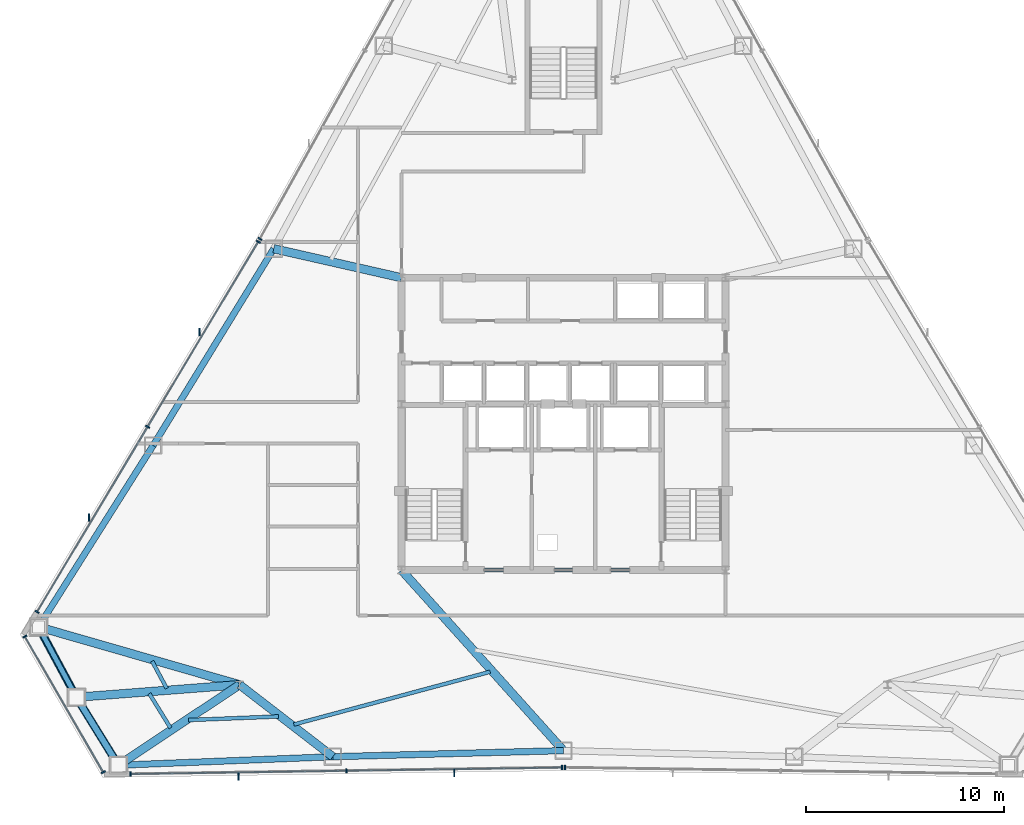
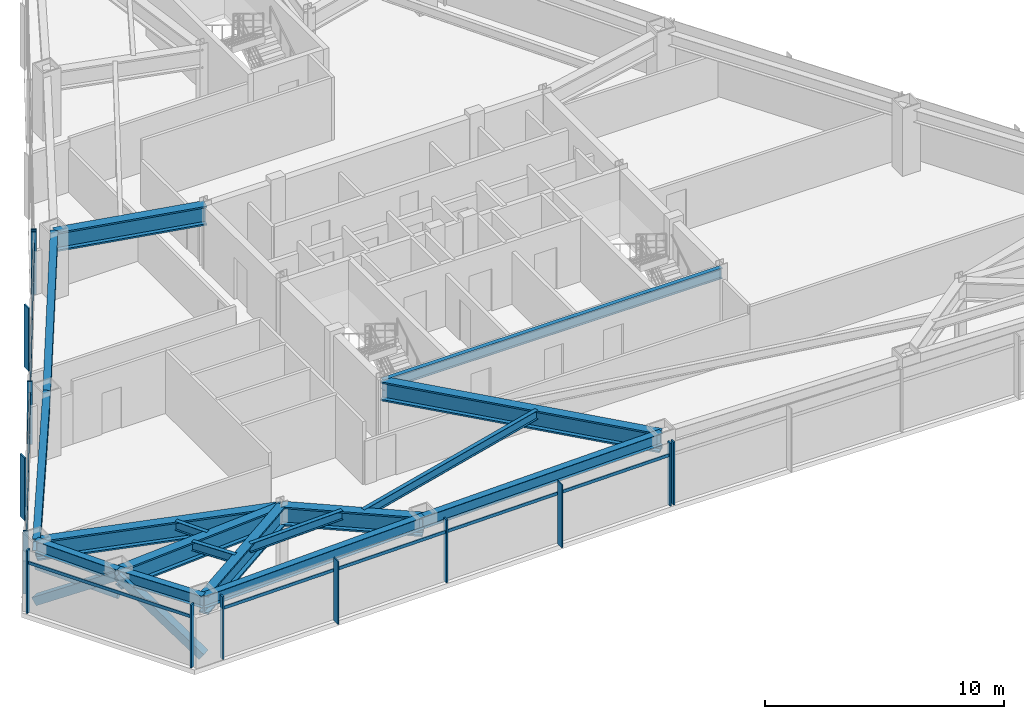
# One storey, part 4 of 13: 20 members, 17 beams, 5 elements without a shape of their own.
"""IFC4 building model written with IfcOpenShell, lengths in metres."""

from ifc_helpers import new_model, si_unit, direction, frame, origin, origin_2d, place, context, subcontext, project, spatial, rectangle, hollow_rectangle, hollow_circle, i_section, extrude, source, transform, mapped, material, layer, layer_set, material_profile, profile_set, type_object, type_shapes, element, aggregate, save


model = new_model("IFC4")

# Units and contexts
model_context = context("Model", 3, precision=1e-05, world=origin(), true_north=direction((0.0, 1.0)))
body_context = subcontext(model_context, "Body", "Model", "MODEL_VIEW")
ifc_project = project(units=[si_unit("LENGTHUNIT", "METRE"), si_unit("AREAUNIT", "SQUARE_METRE"), si_unit("VOLUMEUNIT", "CUBIC_METRE"), si_unit("PLANEANGLEUNIT", "RADIAN"), si_unit("MASSUNIT", "GRAM", prefix="KILO")], contexts=[model_context])

# Site, building, storey
site_placement = place(None, origin())
site = spatial("IfcSite", under=ifc_project, at=site_placement, CompositionType="ELEMENT")
building_placement = place(site_placement, origin())
building = spatial("IfcBuilding", under=site, at=building_placement, Name="Varakhsha Concourse Tower", CompositionType="ELEMENT")
storey_placement = place(building_placement, frame((0.0, 0.0, 147.050048828125)))
storey = spatial("IfcBuildingStorey", under=building, at=storey_placement, Name="L42", CompositionType="ELEMENT", Elevation=147.050048828125)

# Beams
ifc_material_1 = material(Name="Structural Steel ASTM A992 Grade 50", Category="steel")
ifc_material_profile_1 = material_profile(ifc_material_1, i_section(OverallWidth=0.19091796875, OverallDepth=0.45703125, WebThickness=0.009033203125, FlangeThickness=0.013916015625, at=origin_2d()), Name="W18X50")
ifc_profile_set_1 = profile_set([ifc_material_profile_1], Name="Structural Steel ASTM A992 Grade 50")
beam_type_1 = type_object("IfcBeamType", Name="BM-JST-W18X50", PredefinedType="JOIST", material=ifc_profile_set_1)
beam_1_placement = place(storey_placement, frame((19.176513671875, 11.791015625, 2.9814453125), z_axis=(0.473689034339, -0.880692170254, 0.0), x_axis=(0.880692170254, 0.473689034339, 0.0)))
element("IfcBeam", 1, at=beam_1_placement, inside=storey, type_object=beam_type_1, Name="BM-TJST-L42-07", PredefinedType="JOIST", context=body_context, shape_type="SweptSolid", body=[
    extrude(i_section(OverallWidth=0.19091796875, OverallDepth=0.45703125, WebThickness=0.009033203125, FlangeThickness=0.013916015625, at=origin_2d()), origin(), (0.0, 0.0, 1.0), 1.5595703125),
])
beam_2_placement = place(storey_placement, frame((19.03466796875, 10.15087890625, 2.9814453125), z_axis=(0.525861356759, -0.850570298957, 0.0), x_axis=(0.850570298957, 0.525861356759, 0.0)))
element("IfcBeam", 2, at=beam_2_placement, inside=storey, type_object=beam_type_1, Name="BM-TJST-L42-08", PredefinedType="JOIST", context=body_context, shape_type="SweptSolid", body=[
    extrude(i_section(OverallWidth=0.19091796875, OverallDepth=0.45703125, WebThickness=0.009033203125, FlangeThickness=0.013916015625, at=origin_2d()), origin(), (0.0, 0.0, 1.0), 2.045166015625),
])
beam_3_placement = place(storey_placement, frame((21.01318359375, 8.811279296875, 2.9814453125), z_axis=(0.999212380669, 0.03968146064, 0.0), x_axis=(-0.03968146064, 0.999212380669, 0.0)))
element("IfcBeam", 3, at=beam_3_placement, inside=storey, type_object=beam_type_1, Name="BM-TJST-L42-09", PredefinedType="JOIST", context=body_context, shape_type="SweptSolid", body=[
    extrude(i_section(OverallWidth=0.19091796875, OverallDepth=0.45703125, WebThickness=0.009033203125, FlangeThickness=0.013916015625, at=origin_2d()), origin(), (0.0, 0.0, 1.0), 4.55908203125),
])
beam_4_placement = place(storey_placement, frame((26.351806640625, 8.587646484375, 2.9814453125), z_axis=(0.96579428254, 0.259309474976, 0.0), x_axis=(-0.259309474976, 0.96579428254, 0.0)))
element("IfcBeam", 4, at=beam_4_placement, inside=storey, type_object=beam_type_1, Name="BM-TJST-L42-10", PredefinedType="JOIST", context=body_context, shape_type="SweptSolid", body=[
    extrude(i_section(OverallWidth=0.19091796875, OverallDepth=0.45703125, WebThickness=0.009033203125, FlangeThickness=0.013916015625, at=origin_2d()), origin(), (0.0, 0.0, 1.0), 10.285888671875),
])
ifc_material_profile_2 = material_profile(ifc_material_1, i_section(OverallWidth=0.2109375, OverallDepth=0.5390625, WebThickness=0.011962890625, FlangeThickness=0.01904296875, at=origin_2d()), Name="W21X73")
ifc_profile_set_2 = profile_set([ifc_material_profile_2], Name="Structural Steel ASTM A992 Grade 50")
beam_type_2 = type_object("IfcBeamType", Name="BM-RAD-W21X73", PredefinedType="BEAM", material=ifc_profile_set_2)
beam_5_placement = place(storey_placement, frame((31.800048828125, 16.39990234375, 2.9404296875), z_axis=(1.0, 0.0, 0.0), x_axis=(0.0, 1.0, 0.0)))
element("IfcBeam", 5, at=beam_5_placement, inside=storey, type_object=beam_type_2, Name="BM-TCORE-L42-CS", PredefinedType="BEAM", context=body_context, shape_type="SweptSolid", body=[
    extrude(i_section(OverallWidth=0.2109375, OverallDepth=0.5390625, WebThickness=0.011962890625, FlangeThickness=0.01904296875, at=origin_2d()), origin(), (0.0, 0.0, 1.0), 16.39990234375),
])
ifc_material_profile_3 = material_profile(ifc_material_1, i_section(OverallWidth=0.323974609375, OverallDepth=0.611083984375, WebThickness=0.012939453125, FlangeThickness=0.01904296875, at=origin_2d()), Name="W24X104")
ifc_profile_set_3 = profile_set([ifc_material_profile_3], Name="Structural Steel ASTM A992 Grade 50")
beam_type_3 = type_object("IfcBeamType", Name="BM-SPAN-W24X104", PredefinedType="SPANDREL", material=ifc_profile_set_3)
beam_6_placement = place(storey_placement, frame((25.33251953125, 32.668212890625, 2.904541015625), z_axis=(-0.522655184814, -0.852544167646, 0.0), x_axis=(0.852544167646, -0.522655184814, 0.0)))
element("IfcBeam", 6, at=beam_6_placement, inside=storey, type_object=beam_type_3, Name="BM-SPAN-L42-05", PredefinedType="SPANDREL", context=body_context, shape_type="SweptSolid", body=[
    extrude(i_section(OverallWidth=0.323974609375, OverallDepth=0.611083984375, WebThickness=0.012939453125, FlangeThickness=0.01904296875, at=origin_2d()), origin(), (0.0, 0.0, 1.0), 11.6796875),
])
beam_7_placement = place(storey_placement, frame((19.22802734375, 22.710693359375, 2.904541015625), z_axis=(-0.533969312185, -0.845503857853, 0.0), x_axis=(0.845503857853, -0.533969312185, 0.0)))
element("IfcBeam", 7, at=beam_7_placement, inside=storey, type_object=beam_type_3, Name="BM-SPAN-L42-06", PredefinedType="SPANDREL", context=body_context, shape_type="SweptSolid", body=[
    extrude(i_section(OverallWidth=0.323974609375, OverallDepth=0.611083984375, WebThickness=0.012939453125, FlangeThickness=0.01904296875, at=origin_2d()), origin(), (0.0, 0.0, 1.0), 10.861572265625),
])
beam_8_placement = place(storey_placement, frame((13.42822265625, 13.527099609375, 2.904541015625), z_axis=(0.473693045158, -0.880690012984, 0.0), x_axis=(0.880690012984, 0.473693045158, 0.0)))
element("IfcBeam", 8, at=beam_8_placement, inside=storey, type_object=beam_type_3, Name="BM-SPAN-L42-07", PredefinedType="SPANDREL", context=body_context, shape_type="SweptSolid", body=[
    extrude(i_section(OverallWidth=0.323974609375, OverallDepth=0.611083984375, WebThickness=0.012939453125, FlangeThickness=0.01904296875, at=origin_2d()), origin(), (0.0, 0.0, 1.0), 4.044921875),
])
beam_9_placement = place(storey_placement, frame((15.34423828125, 9.96484375, 2.904541015625), z_axis=(0.525874503709, -0.850562170772, 0.0), x_axis=(0.850562170772, 0.525874503709, 0.0)))
element("IfcBeam", 9, at=beam_9_placement, inside=storey, type_object=beam_type_3, Name="BM-SPAN-L42-08", PredefinedType="SPANDREL", context=body_context, shape_type="SweptSolid", body=[
    extrude(i_section(OverallWidth=0.323974609375, OverallDepth=0.611083984375, WebThickness=0.012939453125, FlangeThickness=0.01904296875, at=origin_2d()), origin(), (0.0, 0.0, 1.0), 4.044677734375),
])
beam_10_placement = place(storey_placement, frame((17.47119140625, 6.524658203125, 2.904541015625), z_axis=(0.999212728307, 0.039672705841, 0.0), x_axis=(-0.039672705841, 0.999212728307, 0.0)))
element("IfcBeam", 10, at=beam_10_placement, inside=storey, type_object=beam_type_3, Name="BM-SPAN-L42-09", PredefinedType="SPANDREL", context=body_context, shape_type="SweptSolid", body=[
    extrude(i_section(OverallWidth=0.323974609375, OverallDepth=0.611083984375, WebThickness=0.012939453125, FlangeThickness=0.01904296875, at=origin_2d()), origin(), (0.0, 0.0, 1.0), 10.861572265625),
])
beam_11_placement = place(storey_placement, frame((28.32421875, 6.95556640625, 2.904541015625), z_axis=(0.999652558255, 0.026358353044, 0.0), x_axis=(-0.026358353044, 0.999652558255, 0.0)))
element("IfcBeam", 11, at=beam_11_placement, inside=storey, type_object=beam_type_3, Name="BM-SPAN-L42-10", PredefinedType="SPANDREL", context=body_context, shape_type="SweptSolid", body=[
    extrude(i_section(OverallWidth=0.323974609375, OverallDepth=0.611083984375, WebThickness=0.012939453125, FlangeThickness=0.01904296875, at=origin_2d()), origin(), (0.0, 0.0, 1.0), 11.679931640625),
])
ifc_material_profile_4 = material_profile(ifc_material_1, i_section(OverallWidth=0.427978515625, OverallDepth=0.97509765625, WebThickness=0.050048828125, FlangeThickness=0.0810546875, at=origin_2d()), Name="W36X395")
ifc_profile_set_4 = profile_set([ifc_material_profile_4], Name="Structural Steel ASTM A992 Grade 50")
beam_type_4 = type_object("IfcBeamType", Name="BM-XFER-W36X395", PredefinedType="USERDEFINED", material=ifc_profile_set_4)
beam_12_placement = place(storey_placement, frame((31.800048828125, 31.199951171875, 2.722412109375), z_axis=(-0.97518598452, 0.221387207388, 0.0), x_axis=(-0.221387207388, -0.97518598452, 0.0)))
element("IfcBeam", 12, at=beam_12_placement, inside=storey, type_object=beam_type_4, Name="L42 Radial Floor Girder 05", ObjectType="GIRDER", PredefinedType="USERDEFINED", context=body_context, shape_type="SweptSolid", body=[
    extrude(i_section(OverallWidth=0.427978515625, OverallDepth=0.97509765625, WebThickness=0.050048828125, FlangeThickness=0.0810546875, at=origin_2d()), origin(), (0.0, 0.0, 1.0), 6.632080078125),
])
beam_13_placement = place(storey_placement, frame((23.60009765625, 10.60009765625, 2.722412109375), z_axis=(-0.961004351566, 0.27653324623, 0.0), x_axis=(-0.27653324623, -0.961004351566, 0.0)))
element("IfcBeam", 13, at=beam_13_placement, inside=storey, type_object=beam_type_4, Name="L42 Radial Floor Girder 07", ObjectType="GIRDER", PredefinedType="USERDEFINED", context=body_context, shape_type="SweptSolid", body=[
    extrude(i_section(OverallWidth=0.427978515625, OverallDepth=0.97509765625, WebThickness=0.050048828125, FlangeThickness=0.0810546875, at=origin_2d()), origin(), (0.0, 0.0, 1.0), 10.584716796875),
])
beam_14_placement = place(storey_placement, frame((23.60009765625, 10.60009765625, 2.722412109375), z_axis=(-0.997052750856, -0.076719045946, 0.0), x_axis=(0.076719045946, -0.997052750856, 0.0)))
element("IfcBeam", 14, at=beam_14_placement, inside=storey, type_object=beam_type_4, Name="L42 Radial Floor Girder 08", ObjectType="GIRDER", PredefinedType="USERDEFINED", context=body_context, shape_type="SweptSolid", body=[
    extrude(i_section(OverallWidth=0.427978515625, OverallDepth=0.97509765625, WebThickness=0.050048828125, FlangeThickness=0.0810546875, at=origin_2d()), origin(), (0.0, 0.0, 1.0), 8.2802734375),
])
beam_15_placement = place(storey_placement, frame((23.60009765625, 10.60009765625, 2.722412109375), z_axis=(-0.832708011905, -0.553712350332, 0.0), x_axis=(0.553712350332, -0.832708011905, 0.0)))
element("IfcBeam", 15, at=beam_15_placement, inside=storey, type_object=beam_type_4, Name="L42 Radial Floor Girder 09", ObjectType="GIRDER", PredefinedType="USERDEFINED", context=body_context, shape_type="SweptSolid", body=[
    extrude(i_section(OverallWidth=0.427978515625, OverallDepth=0.97509765625, WebThickness=0.050048828125, FlangeThickness=0.0810546875, at=origin_2d()), origin(), (0.0, 0.0, 1.0), 7.360107421875),
])
beam_16_placement = place(storey_placement, frame((23.60009765625, 10.60009765625, 2.722412109375), z_axis=(0.791765293301, -0.610825441778, 0.0), x_axis=(0.610825441778, 0.791765293301, 0.0)))
element("IfcBeam", 16, at=beam_16_placement, inside=storey, type_object=beam_type_4, Name="L42 Radial Floor Girder 10", ObjectType="GIRDER", PredefinedType="USERDEFINED", context=body_context, shape_type="SweptSolid", body=[
    extrude(i_section(OverallWidth=0.427978515625, OverallDepth=0.97509765625, WebThickness=0.050048828125, FlangeThickness=0.0810546875, at=origin_2d()), origin(), (0.0, 0.0, 1.0), 5.966552734375),
])
beam_17_placement = place(storey_placement, frame((31.800048828125, 16.39990234375, 2.722412109375), z_axis=(0.667934596159, -0.744219977731, 0.0), x_axis=(0.744219977731, 0.667934596159, 0.0)))
element("IfcBeam", 17, at=beam_17_placement, inside=storey, type_object=beam_type_4, Name="L42 Radial Floor Girder 11", ObjectType="GIRDER", PredefinedType="USERDEFINED", context=body_context, shape_type="SweptSolid", body=[
    extrude(i_section(OverallWidth=0.427978515625, OverallDepth=0.97509765625, WebThickness=0.050048828125, FlangeThickness=0.0810546875, at=origin_2d()), origin(), (0.0, 0.0, 1.0), 12.276611328125),
])

# Members
ifc_material_2 = material(Name="Structural Steel ASTM A500 Grade C", Category="steel")
ifc_material_profile_5 = material_profile(ifc_material_2, hollow_rectangle(XDim=0.39990234375, YDim=0.39990234375, WallThickness=0.01611328125, at=origin_2d()), Name="HSS 400x400x16")
ifc_profile_set_5 = profile_set([ifc_material_profile_5], Name="Structural Steel ASTM A500 Grade C")
member_type_1 = type_object("IfcMemberType", Name="MB-TUBE-HSS400", PredefinedType="BRACE", material=ifc_profile_set_5)
shared_shape_1 = source(origin(), body_context, "Body", "SweptSolid", [
    extrude(hollow_rectangle(XDim=0.39990234375, YDim=0.39990234375, WallThickness=0.01611328125, at=origin_2d()), origin(), (0.0, 0.0, 1.0), 4.91357421875),
])
member_1_placement = place(storey_placement, frame((17.47119140625, 6.524658203125, 0.119873046875), z_axis=(-0.4328736846, 0.70014039138, 0.567823745135), x_axis=(-0.850562170772, -0.525874503709, 0.0)))
element("IfcMember", 18, at=member_1_placement, inside=storey, type_object=member_type_1, Name="L42 Wind-Corner Tube Brace B04", PredefinedType="BRACE", context=body_context, shape_type="MappedRepresentation", body=[
    mapped(shared_shape_1, transform((0.0, 0.0, 0.0), scale=1.0)),
])
shared_shape_2 = source(origin(), body_context, "Body", "SweptSolid", [
    extrude(hollow_rectangle(XDim=0.39990234375, YDim=0.39990234375, WallThickness=0.01611328125, at=origin_2d()), origin(), (0.0, 0.0, 1.0), 4.913818359375),
])
type_shapes(member_type_1, [shared_shape_1, shared_shape_2])
member_2_placement = place(storey_placement, frame((13.42822265625, 13.527099609375, 0.119873046875), z_axis=(0.389928102475, -0.724954248626, 0.567800503961), x_axis=(0.880690012984, 0.473693045158, 0.0)))
element("IfcMember", 19, at=member_2_placement, inside=storey, type_object=member_type_1, Name="L42 Wind-Corner Tube Brace B03", PredefinedType="BRACE", context=body_context, shape_type="MappedRepresentation", body=[
    mapped(shared_shape_2, transform((0.0, 0.0, 0.0), scale=1.0)),
])
ifc_material_profile_6 = material_profile(ifc_material_2, hollow_circle(Radius=0.136474609375, WallThickness=0.011962890625, at=origin_2d()), Name="CHS 273x12")
ifc_profile_set_6 = profile_set([ifc_material_profile_6], Name="Structural Steel ASTM A500 Grade C")
member_type_2 = type_object("IfcMemberType", Name="MB-WIND-CHS273", PredefinedType="COLLAR", material=ifc_profile_set_6)
shared_shape_3 = source(origin(), body_context, "Body", "SweptSolid", [
    extrude(hollow_circle(Radius=0.136474609375, WallThickness=0.011962890625, at=origin_2d()), origin(), (0.0, 0.0, 1.0), 4.044921875),
])
type_shapes(member_type_2, [shared_shape_3])
member_3_placement = place(storey_placement, frame((13.42822265625, 13.527099609375, 1.800048828125), z_axis=(0.473693045158, -0.880690012984, 0.0), x_axis=(0.880690012984, 0.473693045158, 0.0)))
element("IfcMember", 20, at=member_3_placement, inside=storey, type_object=member_type_2, Name="L42 Wind-Corner Collar Tie 2", PredefinedType="COLLAR", context=body_context, shape_type="MappedRepresentation", body=[
    mapped(shared_shape_3, transform((0.0, 0.0, 0.0), scale=1.0)),
])

# Curtain wall, member
ifc_material_3 = material(Name="Anodised Bronze Architectural Aluminium AA 6063-T6", Category="aluminium")
ifc_layer = layer(ifc_material_3, 0.2099609375, Name="CW-SYS-04")
ifc_layer_set = layer_set([ifc_layer], Name="Anodised Bronze Architectural Aluminium AA 6063-T6")
curtain_wall_type = type_object("IfcCurtainWallType", Name="CW-SYS-04", PredefinedType="NOTDEFINED", material=ifc_layer_set)
curtain_wall_1_placement = place(storey_placement, origin())
curtain_wall_1 = element("IfcCurtainWall", 21, at=curtain_wall_1_placement, inside=storey, type_object=curtain_wall_type, Name="L42 Crystal Curtain Wall F2", PredefinedType="NOTDEFINED")
ifc_material_profile_7 = material_profile(ifc_material_3, rectangle(XDim=0.074951171875, YDim=0.219970703125, at=origin_2d()), Name="CWM-220X75")
ifc_profile_set_7 = profile_set([ifc_material_profile_7], Name="Anodised Bronze Architectural Aluminium AA 6063-T6")
member_type_3 = type_object("IfcMemberType", Name="CWM-220X75", PredefinedType="MULLION", material=ifc_profile_set_7)
shared_shape_4 = source(origin(), body_context, "Body", "SweptSolid", [
    extrude(rectangle(XDim=0.074951171875, YDim=0.219970703125, at=origin_2d()), origin(), (0.0, 0.0, 1.0), 3.2099609375),
])
type_shapes(member_type_3, [shared_shape_4])
member_4_placement = place(storey_placement, frame((24.634765625, 33.166259765625, 0.0), z_axis=(0.0, 0.0, 1.0), x_axis=(0.48689953646, 0.873457979181, 0.0)))
member_4 = element("IfcMember", 22, at=member_4_placement, type_object=member_type_3, Name="CW-L42-F2 Mullion 00", PredefinedType="MULLION", context=body_context, shape_type="MappedRepresentation", body=[
    mapped(shared_shape_4, transform((0.0, 0.0, 0.0), scale=1.0)),
])
aggregate(curtain_wall_1, [member_4])

# Curtain wall, members
curtain_wall_2_placement = place(storey_placement, origin())
curtain_wall_2 = element("IfcCurtainWall", 23, at=curtain_wall_2_placement, inside=storey, type_object=curtain_wall_type, Name="L42 Crystal Curtain Wall F3", PredefinedType="NOTDEFINED")
member_5_placement = place(storey_placement, frame((13.35498046875, 14.28662109375, 0.0), z_axis=(0.0, 0.0, 1.0), x_axis=(0.512984034508, 0.858398147913, 0.0)))
member_5 = element("IfcMember", 24, at=member_5_placement, type_object=member_type_3, Name="CW-L42-F3 Mullion 00", PredefinedType="MULLION", context=body_context, shape_type="MappedRepresentation", body=[
    mapped(shared_shape_4, transform((0.0, 0.0, 0.0), scale=1.0)),
])
member_6_placement = place(storey_placement, frame((18.95361328125, 23.6552734375, 0.0), z_axis=(0.0, 0.0, 1.0), x_axis=(0.512984034508, 0.858398147913, 0.0)))
member_6 = element("IfcMember", 25, at=member_6_placement, type_object=member_type_3, Name="CW-L42-F3 Mullion 01", PredefinedType="MULLION", context=body_context, shape_type="MappedRepresentation", body=[
    mapped(shared_shape_4, transform((0.0, 0.0, 0.0), scale=1.0)),
])
member_7_placement = place(storey_placement, frame((24.55224609375, 33.023681640625, 0.0), z_axis=(0.0, 0.0, 1.0), x_axis=(0.512984034508, 0.858398147913, 0.0)))
member_7 = element("IfcMember", 26, at=member_7_placement, type_object=member_type_3, Name="CW-L42-F3 Mullion 02", PredefinedType="MULLION", context=body_context, shape_type="MappedRepresentation", body=[
    mapped(shared_shape_4, transform((0.0, 0.0, 0.0), scale=1.0)),
])

curtain_wall_3_placement = place(storey_placement, origin())
curtain_wall_3 = element("IfcCurtainWall", 27, at=curtain_wall_3_placement, inside=storey, type_object=curtain_wall_type, Name="L42 Chamfer Curtain Wall F4", PredefinedType="NOTDEFINED")
member_8_placement = place(storey_placement, frame((16.70361328125, 6.17041015625, 0.0), z_axis=(0.0, 0.0, 1.0), x_axis=(-0.5, 0.866025403784, 0.0)))
member_8 = element("IfcMember", 28, at=member_8_placement, type_object=member_type_3, Name="CW-L42-F4 Mullion 00", PredefinedType="MULLION", context=body_context, shape_type="MappedRepresentation", body=[
    mapped(shared_shape_4, transform((0.0, 0.0, 0.0), scale=1.0)),
])
member_9_placement = place(storey_placement, frame((12.73779296875, 13.039306640625, 0.0), z_axis=(0.0, 0.0, 1.0), x_axis=(-0.5, 0.866025403784, 0.0)))
member_9 = element("IfcMember", 29, at=member_9_placement, type_object=member_type_3, Name="CW-L42-F4 Mullion 01", PredefinedType="MULLION", context=body_context, shape_type="MappedRepresentation", body=[
    mapped(shared_shape_4, transform((0.0, 0.0, 0.0), scale=1.0)),
])

curtain_wall_4_placement = place(storey_placement, origin())
curtain_wall_4 = element("IfcCurtainWall", 30, at=curtain_wall_4_placement, inside=storey, type_object=curtain_wall_type, Name="L42 Crystal Curtain Wall F5", PredefinedType="NOTDEFINED")
member_10_placement = place(storey_placement, frame((39.91748046875, 6.41015625, 0.0), z_axis=(0.0, 0.0, 1.0), x_axis=(-0.99988654105, -0.015063367057, 0.0)))
member_10 = element("IfcMember", 31, at=member_10_placement, type_object=member_type_3, Name="CW-L42-F5 Mullion 00", PredefinedType="MULLION", context=body_context, shape_type="MappedRepresentation", body=[
    mapped(shared_shape_4, transform((0.0, 0.0, 0.0), scale=1.0)),
])
member_11_placement = place(storey_placement, frame((29.0048828125, 6.245849609375, 0.0), z_axis=(0.0, 0.0, 1.0), x_axis=(-0.99988654105, -0.015063367057, 0.0)))
member_11 = element("IfcMember", 32, at=member_11_placement, type_object=member_type_3, Name="CW-L42-F5 Mullion 01", PredefinedType="MULLION", context=body_context, shape_type="MappedRepresentation", body=[
    mapped(shared_shape_4, transform((0.0, 0.0, 0.0), scale=1.0)),
])
member_12_placement = place(storey_placement, frame((18.09228515625, 6.081298828125, 0.0), z_axis=(0.0, 0.0, 1.0), x_axis=(-0.99988654105, -0.015063367057, 0.0)))
member_12 = element("IfcMember", 33, at=member_12_placement, type_object=member_type_3, Name="CW-L42-F5 Mullion 02", PredefinedType="MULLION", context=body_context, shape_type="MappedRepresentation", body=[
    mapped(shared_shape_4, transform((0.0, 0.0, 0.0), scale=1.0)),
])

# Curtain wall, member
curtain_wall_5_placement = place(storey_placement, origin())
curtain_wall_5 = element("IfcCurtainWall", 34, at=curtain_wall_5_placement, inside=storey, type_object=curtain_wall_type, Name="L42 Crystal Curtain Wall F6", PredefinedType="NOTDEFINED")
member_13_placement = place(storey_placement, frame((40.08251953125, 6.41015625, 0.0), z_axis=(0.0, 0.0, 1.0), x_axis=(-0.99988654105, 0.015063367057, 0.0)))
member_13 = element("IfcMember", 35, at=member_13_placement, type_object=member_type_3, Name="CW-L42-F6 Mullion 02", PredefinedType="MULLION", context=body_context, shape_type="MappedRepresentation", body=[
    mapped(shared_shape_4, transform((0.0, 0.0, 0.0), scale=1.0)),
])
aggregate(curtain_wall_5, [member_13])

# Member
ifc_material_profile_8 = material_profile(ifc_material_3, rectangle(XDim=0.06005859375, YDim=0.3798828125, at=origin_2d()), Name="FIN-BRZ-380")
ifc_profile_set_8 = profile_set([ifc_material_profile_8], Name="Anodised Bronze Architectural Aluminium AA 6063-T6")
member_type_4 = type_object("IfcMemberType", Name="FIN-BRZ-380", PredefinedType="USERDEFINED", material=ifc_profile_set_8)
shared_shape_5 = source(origin(), body_context, "Body", "SweptSolid", [
    extrude(rectangle(XDim=0.06005859375, YDim=0.3798828125, at=origin_2d()), origin(), (0.0, 0.0, 1.0), 3.2099609375),
])
type_shapes(member_type_4, [shared_shape_5])
member_14_placement = place(storey_placement, frame((15.978515625, 19.076171875, 0.0), z_axis=(0.0, 0.0, 1.0), x_axis=(1.0, 0.0, 0.0)))
member_14 = element("IfcMember", 36, at=member_14_placement, type_object=member_type_4, Name="L42 Anodised Bronze Solar Fin F3-1", ObjectType="SOLAR FIN", PredefinedType="USERDEFINED", context=body_context, shape_type="MappedRepresentation", body=[
    mapped(shared_shape_5, transform((0.0, 0.0, 0.0), scale=1.0)),
])

member_15_placement = place(storey_placement, frame((21.576904296875, 28.444580078125, 0.0), z_axis=(0.0, 0.0, 1.0), x_axis=(1.0, 0.0, 0.0)))
member_15 = element("IfcMember", 37, at=member_15_placement, type_object=member_type_4, Name="L42 Anodised Bronze Solar Fin F3-2", ObjectType="SOLAR FIN", PredefinedType="USERDEFINED", context=body_context, shape_type="MappedRepresentation", body=[
    mapped(shared_shape_5, transform((0.0, 0.0, 0.0), scale=1.0)),
])

member_16_placement = place(storey_placement, frame((34.46435546875, 6.123046875, 0.0), z_axis=(0.0, 0.0, 1.0), x_axis=(1.0, 0.0, 0.0)))
member_16 = element("IfcMember", 38, at=member_16_placement, type_object=member_type_4, Name="L42 Anodised Bronze Solar Fin F5-1", ObjectType="SOLAR FIN", PredefinedType="USERDEFINED", context=body_context, shape_type="MappedRepresentation", body=[
    mapped(shared_shape_5, transform((0.0, 0.0, 0.0), scale=1.0)),
])

member_17_placement = place(storey_placement, frame((23.5517578125, 5.95849609375, 0.0), z_axis=(0.0, 0.0, 1.0), x_axis=(1.0, 0.0, 0.0)))
member_17 = element("IfcMember", 39, at=member_17_placement, type_object=member_type_4, Name="L42 Anodised Bronze Solar Fin F5-2", ObjectType="SOLAR FIN", PredefinedType="USERDEFINED", context=body_context, shape_type="MappedRepresentation", body=[
    mapped(shared_shape_5, transform((0.0, 0.0, 0.0), scale=1.0)),
])

ifc_material_profile_9 = material_profile(ifc_material_3, rectangle(XDim=0.06494140625, YDim=0.159912109375, at=origin_2d()), Name="CWT-160X65")
ifc_profile_set_9 = profile_set([ifc_material_profile_9], Name="Anodised Bronze Architectural Aluminium AA 6063-T6")
member_type_5 = type_object("IfcMemberType", Name="CWT-160X65", PredefinedType="USERDEFINED", material=ifc_profile_set_9)
shared_shape_6 = source(origin(), body_context, "Body", "SweptSolid", [
    extrude(rectangle(XDim=0.06494140625, YDim=0.159912109375, at=origin_2d()), origin(), (0.0, 0.0, 1.0), 21.827880859375),
])
member_18_placement = place(storey_placement, frame((13.35498046875, 14.28662109375, 2.56005859375), z_axis=(0.512980068893, 0.858400517776, 0.0), x_axis=(-0.858400517776, 0.512980068893, 0.0)))
member_18 = element("IfcMember", 40, at=member_18_placement, type_object=member_type_5, Name="CW-L42-F3 Transom 01", ObjectType="TRANSOM", PredefinedType="USERDEFINED", context=body_context, shape_type="MappedRepresentation", body=[
    mapped(shared_shape_6, transform((0.0, 0.0, 0.0), scale=1.0)),
])

aggregate(curtain_wall_2, [member_5, member_6, member_7, member_18, member_14, member_15])

shared_shape_7 = source(origin(), body_context, "Body", "SweptSolid", [
    extrude(rectangle(XDim=0.06494140625, YDim=0.159912109375, at=origin_2d()), origin(), (0.0, 0.0, 1.0), 21.82763671875),
])
member_19_placement = place(storey_placement, frame((39.91748046875, 6.41015625, 2.56005859375), z_axis=(-0.999886500205, -0.015066078077, 0.0), x_axis=(0.015066078077, -0.999886500205, 0.0)))
member_19 = element("IfcMember", 41, at=member_19_placement, type_object=member_type_5, Name="CW-L42-F5 Transom 01", ObjectType="TRANSOM", PredefinedType="USERDEFINED", context=body_context, shape_type="MappedRepresentation", body=[
    mapped(shared_shape_7, transform((0.0, 0.0, 0.0), scale=1.0)),
])

aggregate(curtain_wall_4, [member_10, member_11, member_12, member_19, member_16, member_17])

shared_shape_8 = source(origin(), body_context, "Body", "SweptSolid", [
    extrude(rectangle(XDim=0.06494140625, YDim=0.159912109375, at=origin_2d()), origin(), (0.0, 0.0, 1.0), 7.931640625),
])
type_shapes(member_type_5, [shared_shape_6, shared_shape_7, shared_shape_8])
member_20_placement = place(storey_placement, frame((16.70361328125, 6.17041015625, 2.56005859375), z_axis=(-0.500005775488, 0.866022069279, 0.0), x_axis=(-0.866022069279, -0.500005775488, 0.0)))
member_20 = element("IfcMember", 42, at=member_20_placement, type_object=member_type_5, Name="CW-L42-F4 Transom 01", ObjectType="TRANSOM", PredefinedType="USERDEFINED", context=body_context, shape_type="MappedRepresentation", body=[
    mapped(shared_shape_8, transform((0.0, 0.0, 0.0), scale=1.0)),
])

aggregate(curtain_wall_3, [member_8, member_9, member_20])

save(model, "model.ifc")
